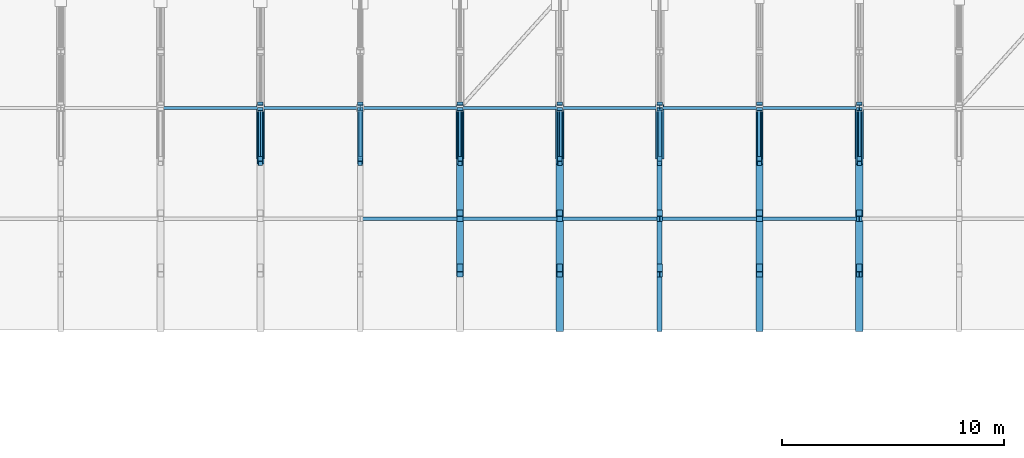
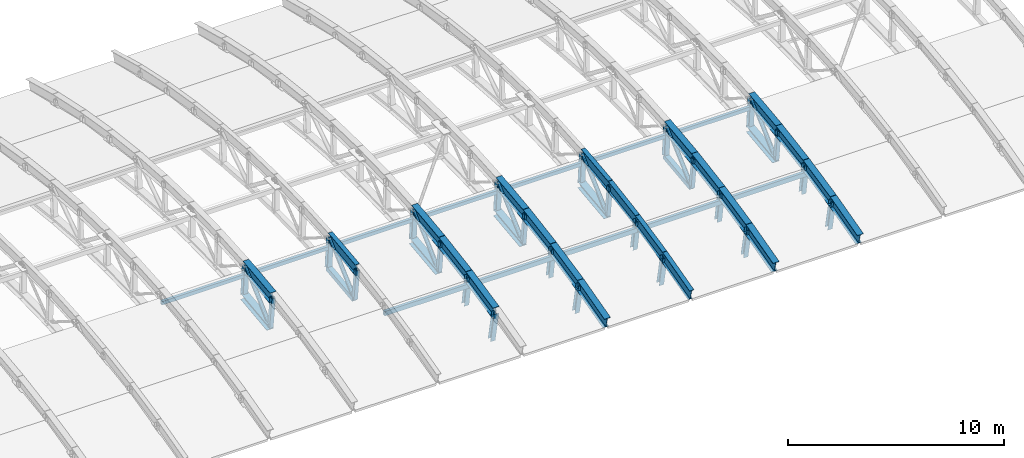
# One storey, part 23 of 53: 50 members, 21 beams.
"""IFC4 building model written with IfcOpenShell, lengths in metres."""

from ifc_helpers import new_model, si_unit, direction, frame, origin, origin_2d, place, context, subcontext, project, spatial, hollow_rectangle, hollow_circle, i_section, extrude, material, material_profile, profile_set, type_object, element, save


model = new_model("IFC4")

# Units and contexts
model_context = context("Model", 3, precision=1e-05, world=origin(), true_north=direction((0.0, 1.0)))
body_context = subcontext(model_context, "Body", "Model", "MODEL_VIEW")
ifc_project = project(units=[si_unit("LENGTHUNIT", "METRE"), si_unit("AREAUNIT", "SQUARE_METRE"), si_unit("VOLUMEUNIT", "CUBIC_METRE"), si_unit("PLANEANGLEUNIT", "RADIAN"), si_unit("MASSUNIT", "GRAM", prefix="KILO")], contexts=[model_context])

# Site, building, storey
site_placement = place(None, origin())
site = spatial("IfcSite", under=ifc_project, at=site_placement, CompositionType="ELEMENT")
building_placement = place(site_placement, origin())
building = spatial("IfcBuilding", under=site, at=building_placement, Name="Cazmaro Siding Exhibition Halls", CompositionType="ELEMENT")
storey_placement = place(building_placement, frame((0.0, 0.0, 21.0)))
storey = spatial("IfcBuildingStorey", under=building, at=storey_placement, Name="L04", CompositionType="ELEMENT", Elevation=21.0)

# Beams
ifc_material_1 = material(Name="Steel ASTM A992 Grade 50", Category="steel")
ifc_material_profile_1 = material_profile(ifc_material_1, i_section(OverallWidth=0.327880859375, OverallDepth=0.626953125, WebThickness=0.01708984375, FlangeThickness=0.028076171875, at=origin_2d()), Name="W24X146")
ifc_profile_set_1 = profile_set([ifc_material_profile_1], Name="Steel ASTM A992 Grade 50")
beam_type_1 = type_object("IfcBeamType", Name="AR-01", PredefinedType="USERDEFINED", material=ifc_profile_set_1)
beam_1_placement = place(storey_placement, frame((139.5, 81.5, 1.02001953125), z_axis=(0.0, 0.977710100146, 0.209959424826), x_axis=(-1.0, 0.0, 0.0)))
element("IfcBeam", 1, at=beam_1_placement, inside=storey, type_object=beam_type_1, Name="Space frame barrel vault arched rib AR-01 BM-1046", ObjectType="ARCHED RIB", PredefinedType="USERDEFINED", context=body_context, shape_type="SweptSolid", body=[
    extrude(i_section(OverallWidth=0.327880859375, OverallDepth=0.626953125, WebThickness=0.01708984375, FlangeThickness=0.028076171875, at=origin_2d()), origin(), (0.0, 0.0, 1.0), 2.556884765625),
])
beam_2_placement = place(storey_placement, frame((139.5, 84.0, 1.556884765625), z_axis=(0.0, 0.98649787474, 0.163774061236), x_axis=(-1.0, 0.0, 0.0)))
element("IfcBeam", 2, at=beam_2_placement, inside=storey, type_object=beam_type_1, Name="Space frame barrel vault arched rib AR-01 BM-1047", ObjectType="ARCHED RIB", PredefinedType="USERDEFINED", context=body_context, shape_type="SweptSolid", body=[
    extrude(i_section(OverallWidth=0.327880859375, OverallDepth=0.626953125, WebThickness=0.01708984375, FlangeThickness=0.028076171875, at=origin_2d()), origin(), (0.0, 0.0, 1.0), 2.5341796875),
])
beam_3_placement = place(storey_placement, frame((139.5, 86.5, 1.971923828125), z_axis=(0.0, 0.993147293786, 0.116869383693), x_axis=(-1.0, 0.0, 0.0)))
element("IfcBeam", 3, at=beam_3_placement, inside=storey, type_object=beam_type_1, Name="Space frame barrel vault arched rib AR-01 BM-1048", ObjectType="ARCHED RIB", PredefinedType="USERDEFINED", context=body_context, shape_type="SweptSolid", body=[
    extrude(i_section(OverallWidth=0.327880859375, OverallDepth=0.626953125, WebThickness=0.01708984375, FlangeThickness=0.028076171875, at=origin_2d()), origin(), (0.0, 0.0, 1.0), 2.517333984375),
])
beam_4_placement = place(storey_placement, frame((153.0, 79.0, 0.35498046875), z_axis=(0.0, 0.966391398669, 0.257075211911), x_axis=(-1.0, 0.0, 0.0)))
element("IfcBeam", 4, at=beam_4_placement, inside=storey, type_object=beam_type_1, Name="Space frame barrel vault arched rib AR-01 BM-1117", ObjectType="ARCHED RIB", PredefinedType="USERDEFINED", context=body_context, shape_type="SweptSolid", body=[
    extrude(i_section(OverallWidth=0.327880859375, OverallDepth=0.626953125, WebThickness=0.01708984375, FlangeThickness=0.028076171875, at=origin_2d()), origin(), (0.0, 0.0, 1.0), 2.5869140625),
])
beam_5_placement = place(storey_placement, frame((153.0, 81.5, 1.02001953125), z_axis=(0.0, 0.977710100146, 0.209959424826), x_axis=(-1.0, 0.0, 0.0)))
element("IfcBeam", 5, at=beam_5_placement, inside=storey, type_object=beam_type_1, Name="Space frame barrel vault arched rib AR-01 BM-1118", ObjectType="ARCHED RIB", PredefinedType="USERDEFINED", context=body_context, shape_type="SweptSolid", body=[
    extrude(i_section(OverallWidth=0.327880859375, OverallDepth=0.626953125, WebThickness=0.01708984375, FlangeThickness=0.028076171875, at=origin_2d()), origin(), (0.0, 0.0, 1.0), 2.556884765625),
])
beam_6_placement = place(storey_placement, frame((153.0, 84.0, 1.556884765625), z_axis=(0.0, 0.98649787474, 0.163774061236), x_axis=(-1.0, 0.0, 0.0)))
element("IfcBeam", 6, at=beam_6_placement, inside=storey, type_object=beam_type_1, Name="Space frame barrel vault arched rib AR-01 BM-1119", ObjectType="ARCHED RIB", PredefinedType="USERDEFINED", context=body_context, shape_type="SweptSolid", body=[
    extrude(i_section(OverallWidth=0.327880859375, OverallDepth=0.626953125, WebThickness=0.01708984375, FlangeThickness=0.028076171875, at=origin_2d()), origin(), (0.0, 0.0, 1.0), 2.5341796875),
])
beam_7_placement = place(storey_placement, frame((153.0, 86.5, 1.971923828125), z_axis=(0.0, 0.993147293786, 0.116869383693), x_axis=(-1.0, 0.0, 0.0)))
element("IfcBeam", 7, at=beam_7_placement, inside=storey, type_object=beam_type_1, Name="Space frame barrel vault arched rib AR-01 BM-1120", ObjectType="ARCHED RIB", PredefinedType="USERDEFINED", context=body_context, shape_type="SweptSolid", body=[
    extrude(i_section(OverallWidth=0.327880859375, OverallDepth=0.626953125, WebThickness=0.01708984375, FlangeThickness=0.028076171875, at=origin_2d()), origin(), (0.0, 0.0, 1.0), 2.517333984375),
])
ifc_material_2 = material(Name="Steel ASTM A992 Grade 50", Category="steel")
ifc_material_profile_2 = material_profile(ifc_material_2, i_section(OverallWidth=0.324951171875, OverallDepth=0.612060546875, WebThickness=0.012939453125, FlangeThickness=0.01904296875, at=origin_2d()), Name="W24X104")
ifc_profile_set_2 = profile_set([ifc_material_profile_2], Name="Steel ASTM A992 Grade 50")
beam_type_2 = type_object("IfcBeamType", Name="AR-02", PredefinedType="USERDEFINED", material=ifc_profile_set_2)
beam_8_placement = place(storey_placement, frame((130.5, 86.5, 1.971923828125), z_axis=(0.0, 0.993147293786, 0.116869383693), x_axis=(-1.0, 0.0, 0.0)))
element("IfcBeam", 8, at=beam_8_placement, inside=storey, type_object=beam_type_2, Name="Space frame barrel vault arched rib AR-02 BM-1000", ObjectType="ARCHED RIB", PredefinedType="USERDEFINED", context=body_context, shape_type="SweptSolid", body=[
    extrude(i_section(OverallWidth=0.324951171875, OverallDepth=0.612060546875, WebThickness=0.012939453125, FlangeThickness=0.01904296875, at=origin_2d()), origin(), (0.0, 0.0, 1.0), 2.517333984375),
])
beam_9_placement = place(storey_placement, frame((144.0, 79.0, 0.35498046875), z_axis=(0.0, 0.966391398669, 0.257075211911), x_axis=(-1.0, 0.0, 0.0)))
element("IfcBeam", 9, at=beam_9_placement, inside=storey, type_object=beam_type_2, Name="Space frame barrel vault arched rib AR-02 BM-1069", ObjectType="ARCHED RIB", PredefinedType="USERDEFINED", context=body_context, shape_type="SweptSolid", body=[
    extrude(i_section(OverallWidth=0.324951171875, OverallDepth=0.612060546875, WebThickness=0.012939453125, FlangeThickness=0.01904296875, at=origin_2d()), origin(), (0.0, 0.0, 1.0), 2.5869140625),
])
beam_10_placement = place(storey_placement, frame((144.0, 81.5, 1.02001953125), z_axis=(0.0, 0.977710100146, 0.209959424826), x_axis=(-1.0, 0.0, 0.0)))
element("IfcBeam", 10, at=beam_10_placement, inside=storey, type_object=beam_type_2, Name="Space frame barrel vault arched rib AR-02 BM-1070", ObjectType="ARCHED RIB", PredefinedType="USERDEFINED", context=body_context, shape_type="SweptSolid", body=[
    extrude(i_section(OverallWidth=0.324951171875, OverallDepth=0.612060546875, WebThickness=0.012939453125, FlangeThickness=0.01904296875, at=origin_2d()), origin(), (0.0, 0.0, 1.0), 2.556884765625),
])
beam_11_placement = place(storey_placement, frame((144.0, 84.0, 1.556884765625), z_axis=(0.0, 0.98649787474, 0.163774061236), x_axis=(-1.0, 0.0, 0.0)))
element("IfcBeam", 11, at=beam_11_placement, inside=storey, type_object=beam_type_2, Name="Space frame barrel vault arched rib AR-02 BM-1071", ObjectType="ARCHED RIB", PredefinedType="USERDEFINED", context=body_context, shape_type="SweptSolid", body=[
    extrude(i_section(OverallWidth=0.324951171875, OverallDepth=0.612060546875, WebThickness=0.012939453125, FlangeThickness=0.01904296875, at=origin_2d()), origin(), (0.0, 0.0, 1.0), 2.5341796875),
])
beam_12_placement = place(storey_placement, frame((144.0, 86.5, 1.971923828125), z_axis=(0.0, 0.993147293786, 0.116869383693), x_axis=(-1.0, 0.0, 0.0)))
element("IfcBeam", 12, at=beam_12_placement, inside=storey, type_object=beam_type_2, Name="Space frame barrel vault arched rib AR-02 BM-1072", ObjectType="ARCHED RIB", PredefinedType="USERDEFINED", context=body_context, shape_type="SweptSolid", body=[
    extrude(i_section(OverallWidth=0.324951171875, OverallDepth=0.612060546875, WebThickness=0.012939453125, FlangeThickness=0.01904296875, at=origin_2d()), origin(), (0.0, 0.0, 1.0), 2.517333984375),
])
beam_13_placement = place(storey_placement, frame((157.5, 79.0, 0.35498046875), z_axis=(0.0, 0.966391398669, 0.257075211911), x_axis=(-1.0, 0.0, 0.0)))
element("IfcBeam", 13, at=beam_13_placement, inside=storey, type_object=beam_type_2, Name="Space frame barrel vault arched rib AR-02 BM-1141", ObjectType="ARCHED RIB", PredefinedType="USERDEFINED", context=body_context, shape_type="SweptSolid", body=[
    extrude(i_section(OverallWidth=0.324951171875, OverallDepth=0.612060546875, WebThickness=0.012939453125, FlangeThickness=0.01904296875, at=origin_2d()), origin(), (0.0, 0.0, 1.0), 2.5869140625),
])
beam_14_placement = place(storey_placement, frame((157.5, 81.5, 1.02001953125), z_axis=(0.0, 0.977710100146, 0.209959424826), x_axis=(-1.0, 0.0, 0.0)))
element("IfcBeam", 14, at=beam_14_placement, inside=storey, type_object=beam_type_2, Name="Space frame barrel vault arched rib AR-02 BM-1142", ObjectType="ARCHED RIB", PredefinedType="USERDEFINED", context=body_context, shape_type="SweptSolid", body=[
    extrude(i_section(OverallWidth=0.324951171875, OverallDepth=0.612060546875, WebThickness=0.012939453125, FlangeThickness=0.01904296875, at=origin_2d()), origin(), (0.0, 0.0, 1.0), 2.556884765625),
])
beam_15_placement = place(storey_placement, frame((157.5, 84.0, 1.556884765625), z_axis=(0.0, 0.98649787474, 0.163774061236), x_axis=(-1.0, 0.0, 0.0)))
element("IfcBeam", 15, at=beam_15_placement, inside=storey, type_object=beam_type_2, Name="Space frame barrel vault arched rib AR-02 BM-1143", ObjectType="ARCHED RIB", PredefinedType="USERDEFINED", context=body_context, shape_type="SweptSolid", body=[
    extrude(i_section(OverallWidth=0.324951171875, OverallDepth=0.612060546875, WebThickness=0.012939453125, FlangeThickness=0.01904296875, at=origin_2d()), origin(), (0.0, 0.0, 1.0), 2.5341796875),
])
beam_16_placement = place(storey_placement, frame((157.5, 86.5, 1.971923828125), z_axis=(0.0, 0.993147293786, 0.116869383693), x_axis=(-1.0, 0.0, 0.0)))
element("IfcBeam", 16, at=beam_16_placement, inside=storey, type_object=beam_type_2, Name="Space frame barrel vault arched rib AR-02 BM-1144", ObjectType="ARCHED RIB", PredefinedType="USERDEFINED", context=body_context, shape_type="SweptSolid", body=[
    extrude(i_section(OverallWidth=0.324951171875, OverallDepth=0.612060546875, WebThickness=0.012939453125, FlangeThickness=0.01904296875, at=origin_2d()), origin(), (0.0, 0.0, 1.0), 2.517333984375),
])
ifc_material_3 = material(Name="Steel ASTM A992 Grade 50", Category="steel")
ifc_material_profile_3 = material_profile(ifc_material_3, i_section(OverallWidth=0.22900390625, OverallDepth=0.612060546875, WebThickness=0.011962890625, FlangeThickness=0.02001953125, at=origin_2d()), Name="W24X84")
ifc_profile_set_3 = profile_set([ifc_material_profile_3], Name="Steel ASTM A992 Grade 50")
beam_type_3 = type_object("IfcBeamType", Name="AR-03", PredefinedType="USERDEFINED", material=ifc_profile_set_3)
beam_17_placement = place(storey_placement, frame((135.0, 86.5, 1.971923828125), z_axis=(0.0, 0.993147293786, 0.116869383693), x_axis=(-1.0, 0.0, 0.0)))
element("IfcBeam", 17, at=beam_17_placement, inside=storey, type_object=beam_type_3, Name="Space frame barrel vault arched rib AR-03 BM-1024", ObjectType="ARCHED RIB", PredefinedType="USERDEFINED", context=body_context, shape_type="SweptSolid", body=[
    extrude(i_section(OverallWidth=0.22900390625, OverallDepth=0.612060546875, WebThickness=0.011962890625, FlangeThickness=0.02001953125, at=origin_2d()), origin(), (0.0, 0.0, 1.0), 2.517333984375),
])
beam_18_placement = place(storey_placement, frame((148.5, 79.0, 0.35498046875), z_axis=(0.0, 0.966391398669, 0.257075211911), x_axis=(-1.0, 0.0, 0.0)))
element("IfcBeam", 18, at=beam_18_placement, inside=storey, type_object=beam_type_3, Name="Space frame barrel vault arched rib AR-03 BM-1093", ObjectType="ARCHED RIB", PredefinedType="USERDEFINED", context=body_context, shape_type="SweptSolid", body=[
    extrude(i_section(OverallWidth=0.22900390625, OverallDepth=0.612060546875, WebThickness=0.011962890625, FlangeThickness=0.02001953125, at=origin_2d()), origin(), (0.0, 0.0, 1.0), 2.5869140625),
])
beam_19_placement = place(storey_placement, frame((148.5, 81.5, 1.02001953125), z_axis=(0.0, 0.977710100146, 0.209959424826), x_axis=(-1.0, 0.0, 0.0)))
element("IfcBeam", 19, at=beam_19_placement, inside=storey, type_object=beam_type_3, Name="Space frame barrel vault arched rib AR-03 BM-1094", ObjectType="ARCHED RIB", PredefinedType="USERDEFINED", context=body_context, shape_type="SweptSolid", body=[
    extrude(i_section(OverallWidth=0.22900390625, OverallDepth=0.612060546875, WebThickness=0.011962890625, FlangeThickness=0.02001953125, at=origin_2d()), origin(), (0.0, 0.0, 1.0), 2.556884765625),
])
beam_20_placement = place(storey_placement, frame((148.5, 84.0, 1.556884765625), z_axis=(0.0, 0.98649787474, 0.163774061236), x_axis=(-1.0, 0.0, 0.0)))
element("IfcBeam", 20, at=beam_20_placement, inside=storey, type_object=beam_type_3, Name="Space frame barrel vault arched rib AR-03 BM-1095", ObjectType="ARCHED RIB", PredefinedType="USERDEFINED", context=body_context, shape_type="SweptSolid", body=[
    extrude(i_section(OverallWidth=0.22900390625, OverallDepth=0.612060546875, WebThickness=0.011962890625, FlangeThickness=0.02001953125, at=origin_2d()), origin(), (0.0, 0.0, 1.0), 2.5341796875),
])
beam_21_placement = place(storey_placement, frame((148.5, 86.5, 1.971923828125), z_axis=(0.0, 0.993147293786, 0.116869383693), x_axis=(-1.0, 0.0, 0.0)))
element("IfcBeam", 21, at=beam_21_placement, inside=storey, type_object=beam_type_3, Name="Space frame barrel vault arched rib AR-03 BM-1096", ObjectType="ARCHED RIB", PredefinedType="USERDEFINED", context=body_context, shape_type="SweptSolid", body=[
    extrude(i_section(OverallWidth=0.22900390625, OverallDepth=0.612060546875, WebThickness=0.011962890625, FlangeThickness=0.02001953125, at=origin_2d()), origin(), (0.0, 0.0, 1.0), 2.517333984375),
])

# Members
ifc_material_4 = material(Name="Steel ASTM A500 Grade C", Category="steel")
ifc_material_profile_4 = material_profile(ifc_material_4, hollow_rectangle(XDim=0.152099609375, YDim=0.202880859375, WallThickness=0.011962890625, at=origin_2d()), Name="HSS8X6X1/2")
ifc_profile_set_4 = profile_set([ifc_material_profile_4], Name="Steel ASTM A500 Grade C")
member_type_1 = type_object("IfcMemberType", Name="RP-01", PredefinedType="PURLIN", material=ifc_profile_set_4)
for number, where, z_axis, x_axis, name in (
    (22, (126.0, 89.0, 1.72607421875), (1.0, 0.0, 0.0), (0.0, 1.0, 0.0), "Space frame barrel vault purlin RP-01 MEM-2184"),
    (23, (130.5, 89.0, 1.72607421875), (1.0, 0.0, 0.0), (0.0, 1.0, 0.0), "Space frame barrel vault purlin RP-01 MEM-2195"),
    (24, (135.0, 89.0, 1.72607421875), (1.0, 0.0, 0.0), (0.0, 1.0, 0.0), "Space frame barrel vault purlin RP-01 MEM-2206"),
    (25, (139.5, 89.0, 1.72607421875), (1.0, 0.0, 0.0), (0.0, 1.0, 0.0), "Space frame barrel vault purlin RP-01 MEM-2217"),
    (26, (144.0, 89.0, 1.72607421875), (1.0, 0.0, 0.0), (0.0, 1.0, 0.0), "Space frame barrel vault purlin RP-01 MEM-2234"),
    (27, (148.5, 89.0, 1.72607421875), (1.0, 0.0, 0.0), (0.0, 1.0, 0.0), "Space frame barrel vault purlin RP-01 MEM-2245"),
    (28, (153.0, 89.0, 1.72607421875), (1.0, 0.0, 0.0), (0.0, 1.0, 0.0), "Space frame barrel vault purlin RP-01 MEM-2256"),
):
    element("IfcMember", number, at=place(storey_placement, frame(where, z_axis=z_axis, x_axis=x_axis)), inside=storey, type_object=member_type_1, Name=name, PredefinedType="PURLIN", context=body_context, shape_type="SweptSolid", body=[
        extrude(hollow_rectangle(XDim=0.152099609375, YDim=0.202880859375, WallThickness=0.011962890625, at=origin_2d()), origin(), (0.0, 0.0, 1.0), 4.5),
    ])
ifc_material_5 = material(Name="Steel ASTM A500 Grade C", Category="steel")
ifc_material_profile_5 = material_profile(ifc_material_5, hollow_rectangle(XDim=0.152099609375, YDim=0.25390625, WallThickness=0.011962890625, at=origin_2d()), Name="HSS10X6X1/2")
ifc_profile_set_5 = profile_set([ifc_material_profile_5], Name="Steel ASTM A500 Grade C")
member_type_2 = type_object("IfcMemberType", Name="RP-04", PredefinedType="PURLIN", material=ifc_profile_set_5)
for number, where, z_axis, x_axis, name in (
    (29, (135.0, 84.0, 1.01708984375), (1.0, 0.0, 0.0), (0.0, 1.0, 0.0), "Space frame barrel vault purlin RP-04 MEM-2205"),
    (30, (139.5, 84.0, 1.01708984375), (1.0, 0.0, 0.0), (0.0, 1.0, 0.0), "Space frame barrel vault purlin RP-04 MEM-2216"),
    (31, (144.0, 84.0, 1.01708984375), (1.0, 0.0, 0.0), (0.0, 1.0, 0.0), "Space frame barrel vault purlin RP-04 MEM-2233"),
    (32, (148.5, 84.0, 1.01708984375), (1.0, 0.0, 0.0), (0.0, 1.0, 0.0), "Space frame barrel vault purlin RP-04 MEM-2244"),
    (33, (153.0, 84.0, 1.01708984375), (1.0, 0.0, 0.0), (0.0, 1.0, 0.0), "Space frame barrel vault purlin RP-04 MEM-2255"),
):
    element("IfcMember", number, at=place(storey_placement, frame(where, z_axis=z_axis, x_axis=x_axis)), inside=storey, type_object=member_type_2, Name=name, PredefinedType="PURLIN", context=body_context, shape_type="SweptSolid", body=[
        extrude(hollow_rectangle(XDim=0.152099609375, YDim=0.25390625, WallThickness=0.011962890625, at=origin_2d()), origin(), (0.0, 0.0, 1.0), 4.5),
    ])
ifc_material_6 = material(Name="Steel ASTM A500 Grade C", Category="steel")
ifc_material_profile_6 = material_profile(ifc_material_6, hollow_rectangle(XDim=0.25390625, YDim=0.25390625, WallThickness=0.014892578125, at=origin_2d()), Name="HSS10X10X5/8")
ifc_profile_set_6 = profile_set([ifc_material_profile_6], Name="Steel ASTM A500 Grade C")
member_type_3 = type_object("IfcMemberType", Name="TC-01", PredefinedType="CHORD", material=ifc_profile_set_6)
for number, where, z_axis, x_axis, name in (
    (34, (135.0, 86.7099609375, 0.18701171875), (0.0, 0.993149923187, 0.116847037079), (-1.0, 0.0, 0.0), "Space frame barrel vault bottom chord TC-01 MEM-1391"),
    (35, (153.0, 86.7099609375, 0.18701171875), (0.0, 0.993149923187, 0.116847037079), (-1.0, 0.0, 0.0), "Space frame barrel vault bottom chord TC-01 MEM-1675"),
):
    element("IfcMember", number, at=place(storey_placement, frame(where, z_axis=z_axis, x_axis=x_axis)), inside=storey, type_object=member_type_3, Name=name, PredefinedType="CHORD", context=body_context, shape_type="SweptSolid", body=[
        extrude(hollow_rectangle(XDim=0.25390625, YDim=0.25390625, WallThickness=0.014892578125, at=origin_2d()), origin(), (0.0, 0.0, 1.0), 2.44677734375),
    ])
ifc_material_7 = material(Name="Steel ASTM A992 Grade 50", Category="steel")
ifc_material_profile_7 = material_profile(ifc_material_7, i_section(OverallWidth=0.37109375, OverallDepth=0.364013671875, WebThickness=0.012939453125, FlangeThickness=0.02197265625, at=origin_2d()), Name="W14X109")
ifc_profile_set_7 = profile_set([ifc_material_profile_7], Name="Steel ASTM A992 Grade 50")
member_type_4 = type_object("IfcMemberType", Name="TC-06", PredefinedType="CHORD", material=ifc_profile_set_7)
for number, where, z_axis, x_axis, name in (
    (36, (130.5, 86.7099609375, 0.18701171875), (0.0, 0.993149923187, 0.116847037079), (-1.0, 0.0, 0.0), "Space frame barrel vault bottom chord TC-06 MEM-1320"),
    (37, (139.5, 86.7099609375, 0.18701171875), (0.0, 0.993149923187, 0.116847037079), (-1.0, 0.0, 0.0), "Space frame barrel vault bottom chord TC-06 MEM-1462"),
    (38, (144.0, 86.7099609375, 0.18701171875), (0.0, 0.993149923187, 0.116847037079), (-1.0, 0.0, 0.0), "Space frame barrel vault bottom chord TC-06 MEM-1533"),
    (39, (148.5, 86.7099609375, 0.18701171875), (0.0, 0.993149923187, 0.116847037079), (-1.0, 0.0, 0.0), "Space frame barrel vault bottom chord TC-06 MEM-1604"),
    (40, (157.5, 86.7099609375, 0.18701171875), (0.0, 0.993149923187, 0.116847037079), (-1.0, 0.0, 0.0), "Space frame barrel vault bottom chord TC-06 MEM-1746"),
):
    element("IfcMember", number, at=place(storey_placement, frame(where, z_axis=z_axis, x_axis=x_axis)), inside=storey, type_object=member_type_4, Name=name, PredefinedType="CHORD", context=body_context, shape_type="SweptSolid", body=[
        extrude(i_section(OverallWidth=0.37109375, OverallDepth=0.364013671875, WebThickness=0.012939453125, FlangeThickness=0.02197265625, at=origin_2d()), origin(), (0.0, 0.0, 1.0), 2.44677734375),
    ])
ifc_material_8 = material(Name="Steel ASTM A500 Grade C", Category="steel")
ifc_material_profile_8 = material_profile(ifc_material_8, hollow_rectangle(XDim=0.202880859375, YDim=0.202880859375, WallThickness=0.011962890625, at=origin_2d()), Name="HSS8X8X1/2")
ifc_profile_set_8 = profile_set([ifc_material_profile_8], Name="Steel ASTM A500 Grade C")
member_type_5 = type_object("IfcMemberType", Name="TP-01", PredefinedType="POST", material=ifc_profile_set_8)
for number, where, z_axis, x_axis, name in (
    (41, (130.5, 86.7099609375, 0.18701171875), (0.0, -0.116825484133, 0.993152458718), (1.0, 0.0, 0.0), "Space frame barrel vault post TP-01 MEM-1358"),
    (42, (135.0, 86.7099609375, 0.18701171875), (0.0, -0.116825484133, 0.993152458718), (1.0, 0.0, 0.0), "Space frame barrel vault post TP-01 MEM-1429"),
    (43, (139.5, 86.7099609375, 0.18701171875), (0.0, -0.116825484133, 0.993152458718), (1.0, 0.0, 0.0), "Space frame barrel vault post TP-01 MEM-1500"),
    (44, (144.0, 86.7099609375, 0.18701171875), (0.0, -0.116825484133, 0.993152458718), (1.0, 0.0, 0.0), "Space frame barrel vault post TP-01 MEM-1571"),
    (45, (148.5, 86.7099609375, 0.18701171875), (0.0, -0.116825484133, 0.993152458718), (1.0, 0.0, 0.0), "Space frame barrel vault post TP-01 MEM-1642"),
    (46, (153.0, 86.7099609375, 0.18701171875), (0.0, -0.116825484133, 0.993152458718), (1.0, 0.0, 0.0), "Space frame barrel vault post TP-01 MEM-1713"),
    (47, (157.5, 86.7099609375, 0.18701171875), (0.0, -0.116825484133, 0.993152458718), (1.0, 0.0, 0.0), "Space frame barrel vault post TP-01 MEM-1784"),
):
    element("IfcMember", number, at=place(storey_placement, frame(where, z_axis=z_axis, x_axis=x_axis)), inside=storey, type_object=member_type_5, Name=name, PredefinedType="POST", context=body_context, shape_type="SweptSolid", body=[
        extrude(hollow_rectangle(XDim=0.202880859375, YDim=0.202880859375, WallThickness=0.011962890625, at=origin_2d()), origin(), (0.0, 0.0, 1.0), 1.797119140625),
    ])
ifc_material_9 = material(Name="Steel ASTM A992 Grade 50", Category="steel")
ifc_material_profile_9 = material_profile(ifc_material_9, i_section(OverallWidth=0.25390625, OverallDepth=0.25390625, WebThickness=0.009033203125, FlangeThickness=0.013916015625, at=origin_2d()), Name="W10X49")
ifc_profile_set_9 = profile_set([ifc_material_profile_9], Name="Steel ASTM A992 Grade 50")
member_type_6 = type_object("IfcMemberType", Name="TP-04", PredefinedType="POST", material=ifc_profile_set_9)
for number, where, z_axis, x_axis, name in (
    (48, (130.5, 89.139892578125, 0.472900390625), (0.0, -0.077775943468, 0.996970863475), (1.0, 0.0, 0.0), "Space frame barrel vault post TP-04 MEM-1359"),
    (49, (135.0, 89.139892578125, 0.472900390625), (0.0, -0.077775943468, 0.996970863475), (1.0, 0.0, 0.0), "Space frame barrel vault post TP-04 MEM-1430"),
):
    element("IfcMember", number, at=place(storey_placement, frame(where, z_axis=z_axis, x_axis=x_axis)), inside=storey, type_object=member_type_6, Name=name, PredefinedType="POST", context=body_context, shape_type="SweptSolid", body=[
        extrude(i_section(OverallWidth=0.25390625, OverallDepth=0.25390625, WebThickness=0.009033203125, FlangeThickness=0.013916015625, at=origin_2d()), origin(), (0.0, 0.0, 1.0), 1.798583984375),
    ])
member_1_placement = place(storey_placement, frame((139.5, 81.85009765625, -0.739013671875), z_axis=(0.0, -0.195199839578, 0.980763489649), x_axis=(1.0, 0.0, 0.0)))
element("IfcMember", 50, at=member_1_placement, inside=storey, type_object=member_type_6, Name="Space frame barrel vault post TP-04 MEM-1498", PredefinedType="POST", context=body_context, shape_type="SweptSolid", body=[
    extrude(i_section(OverallWidth=0.25390625, OverallDepth=0.25390625, WebThickness=0.009033203125, FlangeThickness=0.013916015625, at=origin_2d()), origin(), (0.0, 0.0, 1.0), 1.79345703125),
])
member_2_placement = place(storey_placement, frame((139.5, 84.280029296875, -0.217041015625), z_axis=(0.0, -0.155927668857, 0.987768475952), x_axis=(1.0, 0.0, 0.0)))
element("IfcMember", 51, at=member_2_placement, inside=storey, type_object=member_type_6, Name="Space frame barrel vault post TP-04 MEM-1499", PredefinedType="POST", context=body_context, shape_type="SweptSolid", body=[
    extrude(i_section(OverallWidth=0.25390625, OverallDepth=0.25390625, WebThickness=0.009033203125, FlangeThickness=0.013916015625, at=origin_2d()), origin(), (0.0, 0.0, 1.0), 1.7958984375),
])
member_3_placement = place(storey_placement, frame((139.5, 89.139892578125, 0.472900390625), z_axis=(0.0, -0.077775943468, 0.996970863475), x_axis=(1.0, 0.0, 0.0)))
element("IfcMember", 52, at=member_3_placement, inside=storey, type_object=member_type_6, Name="Space frame barrel vault post TP-04 MEM-1501", PredefinedType="POST", context=body_context, shape_type="SweptSolid", body=[
    extrude(i_section(OverallWidth=0.25390625, OverallDepth=0.25390625, WebThickness=0.009033203125, FlangeThickness=0.013916015625, at=origin_2d()), origin(), (0.0, 0.0, 1.0), 1.798583984375),
])
member_4_placement = place(storey_placement, frame((144.0, 81.85009765625, -0.739013671875), z_axis=(0.0, -0.195199839578, 0.980763489649), x_axis=(1.0, 0.0, 0.0)))
element("IfcMember", 53, at=member_4_placement, inside=storey, type_object=member_type_6, Name="Space frame barrel vault post TP-04 MEM-1569", PredefinedType="POST", context=body_context, shape_type="SweptSolid", body=[
    extrude(i_section(OverallWidth=0.25390625, OverallDepth=0.25390625, WebThickness=0.009033203125, FlangeThickness=0.013916015625, at=origin_2d()), origin(), (0.0, 0.0, 1.0), 1.79345703125),
])
member_5_placement = place(storey_placement, frame((144.0, 84.280029296875, -0.217041015625), z_axis=(0.0, -0.155927668857, 0.987768475952), x_axis=(1.0, 0.0, 0.0)))
element("IfcMember", 54, at=member_5_placement, inside=storey, type_object=member_type_6, Name="Space frame barrel vault post TP-04 MEM-1570", PredefinedType="POST", context=body_context, shape_type="SweptSolid", body=[
    extrude(i_section(OverallWidth=0.25390625, OverallDepth=0.25390625, WebThickness=0.009033203125, FlangeThickness=0.013916015625, at=origin_2d()), origin(), (0.0, 0.0, 1.0), 1.7958984375),
])
member_6_placement = place(storey_placement, frame((144.0, 89.139892578125, 0.472900390625), z_axis=(0.0, -0.077775943468, 0.996970863475), x_axis=(1.0, 0.0, 0.0)))
element("IfcMember", 55, at=member_6_placement, inside=storey, type_object=member_type_6, Name="Space frame barrel vault post TP-04 MEM-1572", PredefinedType="POST", context=body_context, shape_type="SweptSolid", body=[
    extrude(i_section(OverallWidth=0.25390625, OverallDepth=0.25390625, WebThickness=0.009033203125, FlangeThickness=0.013916015625, at=origin_2d()), origin(), (0.0, 0.0, 1.0), 1.798583984375),
])
member_7_placement = place(storey_placement, frame((148.5, 81.85009765625, -0.739013671875), z_axis=(0.0, -0.195199839578, 0.980763489649), x_axis=(1.0, 0.0, 0.0)))
element("IfcMember", 56, at=member_7_placement, inside=storey, type_object=member_type_6, Name="Space frame barrel vault post TP-04 MEM-1640", PredefinedType="POST", context=body_context, shape_type="SweptSolid", body=[
    extrude(i_section(OverallWidth=0.25390625, OverallDepth=0.25390625, WebThickness=0.009033203125, FlangeThickness=0.013916015625, at=origin_2d()), origin(), (0.0, 0.0, 1.0), 1.79345703125),
])
member_8_placement = place(storey_placement, frame((148.5, 84.280029296875, -0.217041015625), z_axis=(0.0, -0.155927668857, 0.987768475952), x_axis=(1.0, 0.0, 0.0)))
element("IfcMember", 57, at=member_8_placement, inside=storey, type_object=member_type_6, Name="Space frame barrel vault post TP-04 MEM-1641", PredefinedType="POST", context=body_context, shape_type="SweptSolid", body=[
    extrude(i_section(OverallWidth=0.25390625, OverallDepth=0.25390625, WebThickness=0.009033203125, FlangeThickness=0.013916015625, at=origin_2d()), origin(), (0.0, 0.0, 1.0), 1.7958984375),
])
member_9_placement = place(storey_placement, frame((148.5, 89.139892578125, 0.472900390625), z_axis=(0.0, -0.077775943468, 0.996970863475), x_axis=(1.0, 0.0, 0.0)))
element("IfcMember", 58, at=member_9_placement, inside=storey, type_object=member_type_6, Name="Space frame barrel vault post TP-04 MEM-1643", PredefinedType="POST", context=body_context, shape_type="SweptSolid", body=[
    extrude(i_section(OverallWidth=0.25390625, OverallDepth=0.25390625, WebThickness=0.009033203125, FlangeThickness=0.013916015625, at=origin_2d()), origin(), (0.0, 0.0, 1.0), 1.798583984375),
])
member_10_placement = place(storey_placement, frame((153.0, 81.85009765625, -0.739013671875), z_axis=(0.0, -0.195199839578, 0.980763489649), x_axis=(1.0, 0.0, 0.0)))
element("IfcMember", 59, at=member_10_placement, inside=storey, type_object=member_type_6, Name="Space frame barrel vault post TP-04 MEM-1711", PredefinedType="POST", context=body_context, shape_type="SweptSolid", body=[
    extrude(i_section(OverallWidth=0.25390625, OverallDepth=0.25390625, WebThickness=0.009033203125, FlangeThickness=0.013916015625, at=origin_2d()), origin(), (0.0, 0.0, 1.0), 1.79345703125),
])
member_11_placement = place(storey_placement, frame((153.0, 84.280029296875, -0.217041015625), z_axis=(0.0, -0.155927668857, 0.987768475952), x_axis=(1.0, 0.0, 0.0)))
element("IfcMember", 60, at=member_11_placement, inside=storey, type_object=member_type_6, Name="Space frame barrel vault post TP-04 MEM-1712", PredefinedType="POST", context=body_context, shape_type="SweptSolid", body=[
    extrude(i_section(OverallWidth=0.25390625, OverallDepth=0.25390625, WebThickness=0.009033203125, FlangeThickness=0.013916015625, at=origin_2d()), origin(), (0.0, 0.0, 1.0), 1.7958984375),
])
member_12_placement = place(storey_placement, frame((153.0, 89.139892578125, 0.472900390625), z_axis=(0.0, -0.077775943468, 0.996970863475), x_axis=(1.0, 0.0, 0.0)))
element("IfcMember", 61, at=member_12_placement, inside=storey, type_object=member_type_6, Name="Space frame barrel vault post TP-04 MEM-1714", PredefinedType="POST", context=body_context, shape_type="SweptSolid", body=[
    extrude(i_section(OverallWidth=0.25390625, OverallDepth=0.25390625, WebThickness=0.009033203125, FlangeThickness=0.013916015625, at=origin_2d()), origin(), (0.0, 0.0, 1.0), 1.798583984375),
])
member_13_placement = place(storey_placement, frame((157.5, 81.85009765625, -0.739013671875), z_axis=(0.0, -0.195199839578, 0.980763489649), x_axis=(1.0, 0.0, 0.0)))
element("IfcMember", 62, at=member_13_placement, inside=storey, type_object=member_type_6, Name="Space frame barrel vault post TP-04 MEM-1782", PredefinedType="POST", context=body_context, shape_type="SweptSolid", body=[
    extrude(i_section(OverallWidth=0.25390625, OverallDepth=0.25390625, WebThickness=0.009033203125, FlangeThickness=0.013916015625, at=origin_2d()), origin(), (0.0, 0.0, 1.0), 1.79345703125),
])
member_14_placement = place(storey_placement, frame((157.5, 84.280029296875, -0.217041015625), z_axis=(0.0, -0.155927668857, 0.987768475952), x_axis=(1.0, 0.0, 0.0)))
element("IfcMember", 63, at=member_14_placement, inside=storey, type_object=member_type_6, Name="Space frame barrel vault post TP-04 MEM-1783", PredefinedType="POST", context=body_context, shape_type="SweptSolid", body=[
    extrude(i_section(OverallWidth=0.25390625, OverallDepth=0.25390625, WebThickness=0.009033203125, FlangeThickness=0.013916015625, at=origin_2d()), origin(), (0.0, 0.0, 1.0), 1.7958984375),
])
member_15_placement = place(storey_placement, frame((157.5, 89.139892578125, 0.472900390625), z_axis=(0.0, -0.077775943468, 0.996970863475), x_axis=(1.0, 0.0, 0.0)))
element("IfcMember", 64, at=member_15_placement, inside=storey, type_object=member_type_6, Name="Space frame barrel vault post TP-04 MEM-1785", PredefinedType="POST", context=body_context, shape_type="SweptSolid", body=[
    extrude(i_section(OverallWidth=0.25390625, OverallDepth=0.25390625, WebThickness=0.009033203125, FlangeThickness=0.013916015625, at=origin_2d()), origin(), (0.0, 0.0, 1.0), 1.798583984375),
])
ifc_material_10 = material(Name="Steel ASTM A500 Grade C", Category="steel")
ifc_material_profile_10 = material_profile(ifc_material_10, hollow_circle(Radius=0.109619140625, WallThickness=0.012939453125, at=origin_2d()), Name="PIPE8XS")
ifc_profile_set_10 = profile_set([ifc_material_profile_10], Name="Steel ASTM A500 Grade C")
member_type_7 = type_object("IfcMemberType", Name="WB-01", PredefinedType="BRACE", material=ifc_profile_set_10)
for number, where, z_axis, x_axis, name in (
    (65, (130.5, 86.7099609375, 0.18701171875), (0.0, 0.740382789782, 0.672185483772), (-1.0, 0.0, 0.0), "Space frame barrel vault diagonal WB-01 MEM-1321"),
    (66, (135.0, 86.7099609375, 0.18701171875), (0.0, 0.740382789782, 0.672185483772), (-1.0, 0.0, 0.0), "Space frame barrel vault diagonal WB-01 MEM-1392"),
    (67, (139.5, 86.7099609375, 0.18701171875), (0.0, 0.740382789782, 0.672185483772), (-1.0, 0.0, 0.0), "Space frame barrel vault diagonal WB-01 MEM-1463"),
    (68, (144.0, 86.7099609375, 0.18701171875), (0.0, 0.740382789782, 0.672185483772), (-1.0, 0.0, 0.0), "Space frame barrel vault diagonal WB-01 MEM-1534"),
    (69, (148.5, 86.7099609375, 0.18701171875), (0.0, 0.740382789782, 0.672185483772), (-1.0, 0.0, 0.0), "Space frame barrel vault diagonal WB-01 MEM-1605"),
    (70, (153.0, 86.7099609375, 0.18701171875), (0.0, 0.740382789782, 0.672185483772), (-1.0, 0.0, 0.0), "Space frame barrel vault diagonal WB-01 MEM-1676"),
    (71, (157.5, 86.7099609375, 0.18701171875), (0.0, 0.740382789782, 0.672185483772), (-1.0, 0.0, 0.0), "Space frame barrel vault diagonal WB-01 MEM-1747"),
):
    element("IfcMember", number, at=place(storey_placement, frame(where, z_axis=z_axis, x_axis=x_axis)), inside=storey, type_object=member_type_7, Name=name, PredefinedType="BRACE", context=body_context, shape_type="SweptSolid", body=[
        extrude(hollow_circle(Radius=0.109619140625, WallThickness=0.012939453125, at=origin_2d()), origin(), (0.0, 0.0, 1.0), 3.093017578125),
    ])

save(model, "model.ifc")
